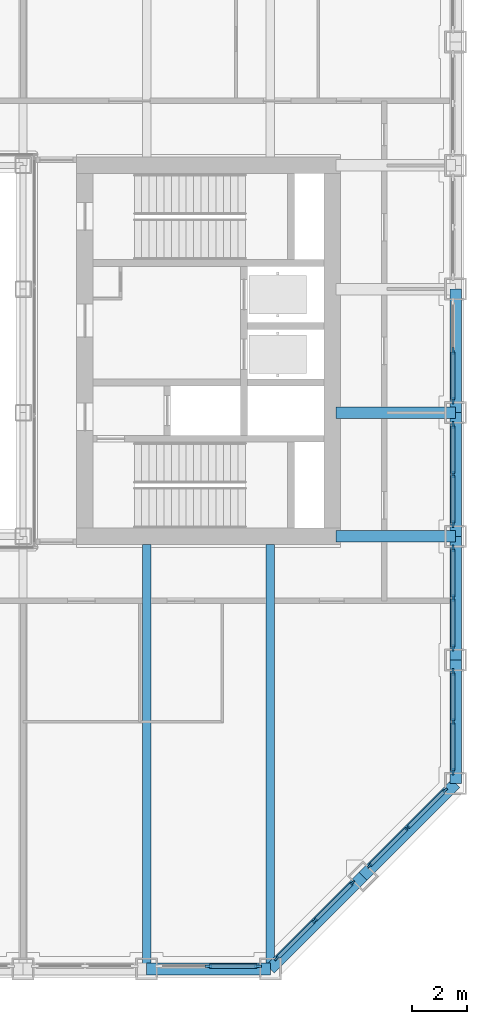
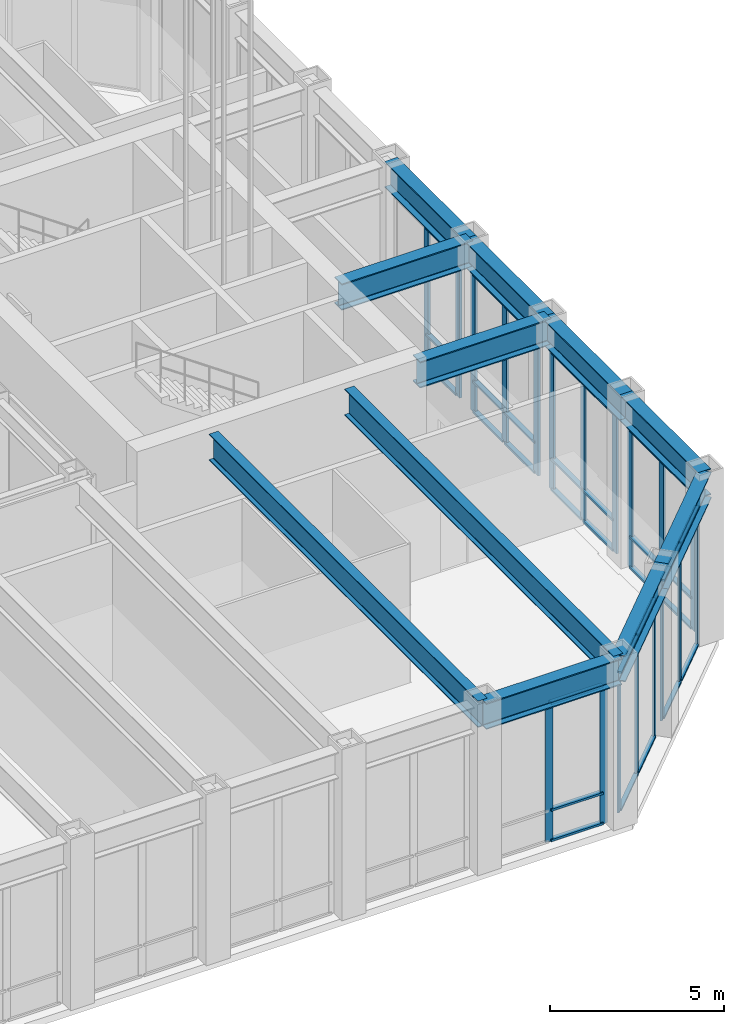
# One storey, part 6 of 22: 51 members, 11 beams, 7 elements without a shape of their own.
"""IFC4 building model written with IfcOpenShell, lengths in metres."""

from ifc_helpers import new_model, si_unit, direction, frame, origin, origin_2d, place, context, subcontext, project, spatial, rectangle, i_section, extrude, material, material_profile, profile_set, type_object, element, aggregate, save


model = new_model("IFC4")

# Units and contexts
model_context = context("Model", 3, precision=1e-05, world=origin(), true_north=direction((0.0, 1.0)))
body_context = subcontext(model_context, "Body", "Model", "MODEL_VIEW")
ifc_project = project(units=[si_unit("LENGTHUNIT", "METRE"), si_unit("AREAUNIT", "SQUARE_METRE"), si_unit("VOLUMEUNIT", "CUBIC_METRE"), si_unit("PLANEANGLEUNIT", "RADIAN"), si_unit("MASSUNIT", "GRAM", prefix="KILO")], contexts=[model_context])

# Site, building, storey
site_placement = place(None, origin())
site = spatial("IfcSite", under=ifc_project, at=site_placement, CompositionType="ELEMENT")
building_placement = place(site_placement, origin())
building = spatial("IfcBuilding", under=site, at=building_placement, Name="Msasa Ring Tower", CompositionType="ELEMENT")
storey_placement = place(building_placement, frame((0.0, 0.0, 112.39990234375)))
storey = spatial("IfcBuildingStorey", under=building, at=storey_placement, Name="L29", CompositionType="ELEMENT", Elevation=112.39990234375)

# Curtain wall, members
ifc_material_1 = material(Name="Aluminium curtain wall with clear glass", Category="aluminium")
curtain_wall_type_1 = type_object("IfcCurtainWallType", Name="CW-C CHAMFER CORNER CURTAIN WALL", PredefinedType="NOTDEFINED", material=ifc_material_1)
curtain_wall_1_placement = place(storey_placement, origin())
curtain_wall_1 = element("IfcCurtainWall", 1, at=curtain_wall_1_placement, inside=storey, type_object=curtain_wall_type_1, Name="Chamfer corner curtain wall SE L29", PredefinedType="NOTDEFINED")
ifc_material_2 = material(Name="Aluminium mullion", Category="aluminium")
ifc_material_profile_1 = material_profile(ifc_material_2, rectangle(XDim=0.06494140625, YDim=0.179931640625, at=origin_2d()), Name="AL 65x180")
ifc_profile_set_1 = profile_set([ifc_material_profile_1], Name="Aluminium mullion")
member_type_1 = type_object("IfcMemberType", Name="CW-C MULLION 65x180", PredefinedType="MULLION", material=ifc_profile_set_1)
member_1_placement = place(storey_placement, frame((15.98876953125, -22.119873046875, 0.0), z_axis=(0.0, 0.0, 1.0), x_axis=(-0.707106781187, 0.707106781187, 0.0)))
member_1 = element("IfcMember", 2, at=member_1_placement, type_object=member_type_1, Name="CW-C mullion 1", PredefinedType="MULLION", context=body_context, shape_type="SweptSolid", body=[
    extrude(rectangle(XDim=0.06494140625, YDim=0.179931640625, at=origin_2d()), origin(), (0.0, 0.0, 1.0), 4.879150390625),
])
member_2_placement = place(storey_placement, frame((17.36669921875, -20.74169921875, 0.0), z_axis=(0.0, 0.0, 1.0), x_axis=(-0.707106781187, 0.707106781187, 0.0)))
member_2 = element("IfcMember", 3, at=member_2_placement, type_object=member_type_1, Name="CW-C mullion 2", PredefinedType="MULLION", context=body_context, shape_type="SweptSolid", body=[
    extrude(rectangle(XDim=0.06494140625, YDim=0.179931640625, at=origin_2d()), origin(), (0.0, 0.0, 1.0), 4.879150390625),
])
member_3_placement = place(storey_placement, frame((18.744873046875, -19.36376953125, 0.0), z_axis=(0.0, 0.0, 1.0), x_axis=(-0.707106781187, 0.707106781187, 0.0)))
member_3 = element("IfcMember", 4, at=member_3_placement, type_object=member_type_1, Name="CW-C mullion 3", PredefinedType="MULLION", context=body_context, shape_type="SweptSolid", body=[
    extrude(rectangle(XDim=0.06494140625, YDim=0.179931640625, at=origin_2d()), origin(), (0.0, 0.0, 1.0), 4.879150390625),
])

curtain_wall_2_placement = place(storey_placement, origin())
curtain_wall_2 = element("IfcCurtainWall", 5, at=curtain_wall_2_placement, inside=storey, type_object=curtain_wall_type_1, Name="Chamfer corner curtain wall SE L29", PredefinedType="NOTDEFINED")
member_4_placement = place(storey_placement, frame((19.36376953125, -18.744873046875, 0.0), z_axis=(0.0, 0.0, 1.0), x_axis=(-0.707106781187, 0.707106781187, 0.0)))
member_4 = element("IfcMember", 6, at=member_4_placement, type_object=member_type_1, Name="CW-C mullion 1", PredefinedType="MULLION", context=body_context, shape_type="SweptSolid", body=[
    extrude(rectangle(XDim=0.06494140625, YDim=0.179931640625, at=origin_2d()), origin(), (0.0, 0.0, 1.0), 4.879150390625),
])
member_5_placement = place(storey_placement, frame((20.74169921875, -17.36669921875, 0.0), z_axis=(0.0, 0.0, 1.0), x_axis=(-0.707106781187, 0.707106781187, 0.0)))
member_5 = element("IfcMember", 7, at=member_5_placement, type_object=member_type_1, Name="CW-C mullion 2", PredefinedType="MULLION", context=body_context, shape_type="SweptSolid", body=[
    extrude(rectangle(XDim=0.06494140625, YDim=0.179931640625, at=origin_2d()), origin(), (0.0, 0.0, 1.0), 4.879150390625),
])
member_6_placement = place(storey_placement, frame((22.119873046875, -15.98876953125, 0.0), z_axis=(0.0, 0.0, 1.0), x_axis=(-0.707106781187, 0.707106781187, 0.0)))
member_6 = element("IfcMember", 8, at=member_6_placement, type_object=member_type_1, Name="CW-C mullion 3", PredefinedType="MULLION", context=body_context, shape_type="SweptSolid", body=[
    extrude(rectangle(XDim=0.06494140625, YDim=0.179931640625, at=origin_2d()), origin(), (0.0, 0.0, 1.0), 4.879150390625),
])

# Member
ifc_material_3 = material(Name="Aluminium transom", Category="aluminium")
ifc_material_profile_2 = material_profile(ifc_material_3, rectangle(XDim=0.139892578125, YDim=0.06494140625, at=origin_2d()), Name="AL 65x140")
ifc_profile_set_2 = profile_set([ifc_material_profile_2], Name="Aluminium transom")
member_type_2 = type_object("IfcMemberType", Name="CW-C TRANSOM 65x140", PredefinedType="USERDEFINED", material=ifc_profile_set_2)
member_7_placement = place(storey_placement, frame((16.01171875, -22.096923828125, 0.03271484375), z_axis=(0.707106781187, 0.707106781187, 0.0), x_axis=(-0.707106781187, 0.707106781187, 0.0)))
member_7 = element("IfcMember", 9, at=member_7_placement, type_object=member_type_2, Name="CW-C transom 1.1", ObjectType="TRANSOM", PredefinedType="USERDEFINED", context=body_context, shape_type="SweptSolid", body=[
    extrude(rectangle(XDim=0.139892578125, YDim=0.06494140625, at=origin_2d()), origin(), (0.0, 0.0, 1.0), 1.8837890625),
])

member_8_placement = place(storey_placement, frame((16.01171875, -22.096923828125, 4.8466796875), z_axis=(0.707106781187, 0.707106781187, 0.0), x_axis=(-0.707106781187, 0.707106781187, 0.0)))
member_8 = element("IfcMember", 10, at=member_8_placement, type_object=member_type_2, Name="CW-C transom 1.2", ObjectType="TRANSOM", PredefinedType="USERDEFINED", context=body_context, shape_type="SweptSolid", body=[
    extrude(rectangle(XDim=0.139892578125, YDim=0.06494140625, at=origin_2d()), origin(), (0.0, 0.0, 1.0), 1.8837890625),
])

member_9_placement = place(storey_placement, frame((17.389892578125, -20.71875, 0.03271484375), z_axis=(0.707106781187, 0.707106781187, 0.0), x_axis=(-0.707106781187, 0.707106781187, 0.0)))
member_9 = element("IfcMember", 11, at=member_9_placement, type_object=member_type_2, Name="CW-C transom 2.1", ObjectType="TRANSOM", PredefinedType="USERDEFINED", context=body_context, shape_type="SweptSolid", body=[
    extrude(rectangle(XDim=0.139892578125, YDim=0.06494140625, at=origin_2d()), origin(), (0.0, 0.0, 1.0), 1.8837890625),
])

member_10_placement = place(storey_placement, frame((17.389892578125, -20.71875, 4.8466796875), z_axis=(0.707106781187, 0.707106781187, 0.0), x_axis=(-0.707106781187, 0.707106781187, 0.0)))
member_10 = element("IfcMember", 12, at=member_10_placement, type_object=member_type_2, Name="CW-C transom 2.2", ObjectType="TRANSOM", PredefinedType="USERDEFINED", context=body_context, shape_type="SweptSolid", body=[
    extrude(rectangle(XDim=0.139892578125, YDim=0.06494140625, at=origin_2d()), origin(), (0.0, 0.0, 1.0), 1.8837890625),
])

aggregate(curtain_wall_1, [member_1, member_2, member_3, member_7, member_8, member_9, member_10])

member_11_placement = place(storey_placement, frame((19.38671875, -18.721923828125, 0.03271484375), z_axis=(0.707106781187, 0.707106781187, 0.0), x_axis=(-0.707106781187, 0.707106781187, 0.0)))
member_11 = element("IfcMember", 13, at=member_11_placement, type_object=member_type_2, Name="CW-C transom 1.1", ObjectType="TRANSOM", PredefinedType="USERDEFINED", context=body_context, shape_type="SweptSolid", body=[
    extrude(rectangle(XDim=0.139892578125, YDim=0.06494140625, at=origin_2d()), origin(), (0.0, 0.0, 1.0), 1.8837890625),
])

member_12_placement = place(storey_placement, frame((19.38671875, -18.721923828125, 4.8466796875), z_axis=(0.707106781187, 0.707106781187, 0.0), x_axis=(-0.707106781187, 0.707106781187, 0.0)))
member_12 = element("IfcMember", 14, at=member_12_placement, type_object=member_type_2, Name="CW-C transom 1.2", ObjectType="TRANSOM", PredefinedType="USERDEFINED", context=body_context, shape_type="SweptSolid", body=[
    extrude(rectangle(XDim=0.139892578125, YDim=0.06494140625, at=origin_2d()), origin(), (0.0, 0.0, 1.0), 1.8837890625),
])

member_13_placement = place(storey_placement, frame((20.764892578125, -17.34375, 0.03271484375), z_axis=(0.707106781187, 0.707106781187, 0.0), x_axis=(-0.707106781187, 0.707106781187, 0.0)))
member_13 = element("IfcMember", 15, at=member_13_placement, type_object=member_type_2, Name="CW-C transom 2.1", ObjectType="TRANSOM", PredefinedType="USERDEFINED", context=body_context, shape_type="SweptSolid", body=[
    extrude(rectangle(XDim=0.139892578125, YDim=0.06494140625, at=origin_2d()), origin(), (0.0, 0.0, 1.0), 1.8837890625),
])

member_14_placement = place(storey_placement, frame((20.764892578125, -17.34375, 4.8466796875), z_axis=(0.707106781187, 0.707106781187, 0.0), x_axis=(-0.707106781187, 0.707106781187, 0.0)))
member_14 = element("IfcMember", 16, at=member_14_placement, type_object=member_type_2, Name="CW-C transom 2.2", ObjectType="TRANSOM", PredefinedType="USERDEFINED", context=body_context, shape_type="SweptSolid", body=[
    extrude(rectangle(XDim=0.139892578125, YDim=0.06494140625, at=origin_2d()), origin(), (0.0, 0.0, 1.0), 1.8837890625),
])

aggregate(curtain_wall_2, [member_4, member_5, member_6, member_11, member_12, member_13, member_14])

# Curtain wall, members
ifc_material_4 = material(Name="Aluminium curtain wall with clear glass", Category="aluminium")
curtain_wall_type_2 = type_object("IfcCurtainWallType", Name="CW-S SKY LOBBY CURTAIN WALL", PredefinedType="NOTDEFINED", material=ifc_material_4)
curtain_wall_3_placement = place(storey_placement, origin())
curtain_wall_3 = element("IfcCurtainWall", 17, at=curtain_wall_3_placement, inside=storey, type_object=curtain_wall_type_2, Name="Sky lobby curtain wall S L29", PredefinedType="NOTDEFINED")
ifc_material_5 = material(Name="Aluminium mullion", Category="aluminium")
ifc_material_profile_3 = material_profile(ifc_material_5, rectangle(XDim=0.074951171875, YDim=0.25, at=origin_2d()), Name="AL 75x250")
ifc_profile_set_3 = profile_set([ifc_material_profile_3], Name="Aluminium mullion")
member_type_3 = type_object("IfcMemberType", Name="CW-S MULLION 75x250", PredefinedType="MULLION", material=ifc_profile_set_3)
member_15_placement = place(storey_placement, frame((13.5, -22.39990234375, 0.0), z_axis=(0.0, 0.0, 1.0), x_axis=(0.0, 1.0, 0.0)))
member_15 = element("IfcMember", 18, at=member_15_placement, type_object=member_type_3, Name="CW-S mullion 2", PredefinedType="MULLION", context=body_context, shape_type="SweptSolid", body=[
    extrude(rectangle(XDim=0.074951171875, YDim=0.25, at=origin_2d()), origin(), (0.0, 0.0, 1.0), 4.879150390625),
])
member_16_placement = place(storey_placement, frame((15.3076171875, -22.39990234375, 0.0), z_axis=(0.0, 0.0, 1.0), x_axis=(0.0, 1.0, 0.0)))
member_16 = element("IfcMember", 19, at=member_16_placement, type_object=member_type_3, Name="CW-S mullion 3", PredefinedType="MULLION", context=body_context, shape_type="SweptSolid", body=[
    extrude(rectangle(XDim=0.074951171875, YDim=0.25, at=origin_2d()), origin(), (0.0, 0.0, 1.0), 4.879150390625),
])

curtain_wall_4_placement = place(storey_placement, origin())
curtain_wall_4 = element("IfcCurtainWall", 20, at=curtain_wall_4_placement, inside=storey, type_object=curtain_wall_type_2, Name="Sky lobby curtain wall E L29", PredefinedType="NOTDEFINED")
member_17_placement = place(storey_placement, frame((22.39990234375, -15.3076171875, 0.0), z_axis=(0.0, 0.0, 1.0), x_axis=(-1.0, 0.0, 0.0)))
member_17 = element("IfcMember", 21, at=member_17_placement, type_object=member_type_3, Name="CW-S mullion 1", PredefinedType="MULLION", context=body_context, shape_type="SweptSolid", body=[
    extrude(rectangle(XDim=0.074951171875, YDim=0.25, at=origin_2d()), origin(), (0.0, 0.0, 1.0), 4.879150390625),
])
member_18_placement = place(storey_placement, frame((22.39990234375, -13.5, 0.0), z_axis=(0.0, 0.0, 1.0), x_axis=(-1.0, 0.0, 0.0)))
member_18 = element("IfcMember", 22, at=member_18_placement, type_object=member_type_3, Name="CW-S mullion 2", PredefinedType="MULLION", context=body_context, shape_type="SweptSolid", body=[
    extrude(rectangle(XDim=0.074951171875, YDim=0.25, at=origin_2d()), origin(), (0.0, 0.0, 1.0), 4.879150390625),
])
member_19_placement = place(storey_placement, frame((22.39990234375, -11.6923828125, 0.0), z_axis=(0.0, 0.0, 1.0), x_axis=(-1.0, 0.0, 0.0)))
member_19 = element("IfcMember", 23, at=member_19_placement, type_object=member_type_3, Name="CW-S mullion 3", PredefinedType="MULLION", context=body_context, shape_type="SweptSolid", body=[
    extrude(rectangle(XDim=0.074951171875, YDim=0.25, at=origin_2d()), origin(), (0.0, 0.0, 1.0), 4.879150390625),
])

curtain_wall_5_placement = place(storey_placement, origin())
curtain_wall_5 = element("IfcCurtainWall", 24, at=curtain_wall_5_placement, inside=storey, type_object=curtain_wall_type_2, Name="Sky lobby curtain wall E L29", PredefinedType="NOTDEFINED")
member_20_placement = place(storey_placement, frame((22.39990234375, -10.8076171875, 0.0), z_axis=(0.0, 0.0, 1.0), x_axis=(-1.0, 0.0, 0.0)))
member_20 = element("IfcMember", 25, at=member_20_placement, type_object=member_type_3, Name="CW-S mullion 1", PredefinedType="MULLION", context=body_context, shape_type="SweptSolid", body=[
    extrude(rectangle(XDim=0.074951171875, YDim=0.25, at=origin_2d()), origin(), (0.0, 0.0, 1.0), 4.879150390625),
])
member_21_placement = place(storey_placement, frame((22.39990234375, -9.0, 0.0), z_axis=(0.0, 0.0, 1.0), x_axis=(-1.0, 0.0, 0.0)))
member_21 = element("IfcMember", 26, at=member_21_placement, type_object=member_type_3, Name="CW-S mullion 2", PredefinedType="MULLION", context=body_context, shape_type="SweptSolid", body=[
    extrude(rectangle(XDim=0.074951171875, YDim=0.25, at=origin_2d()), origin(), (0.0, 0.0, 1.0), 4.879150390625),
])
member_22_placement = place(storey_placement, frame((22.39990234375, -7.1923828125, 0.0), z_axis=(0.0, 0.0, 1.0), x_axis=(-1.0, 0.0, 0.0)))
member_22 = element("IfcMember", 27, at=member_22_placement, type_object=member_type_3, Name="CW-S mullion 3", PredefinedType="MULLION", context=body_context, shape_type="SweptSolid", body=[
    extrude(rectangle(XDim=0.074951171875, YDim=0.25, at=origin_2d()), origin(), (0.0, 0.0, 1.0), 4.879150390625),
])

curtain_wall_6_placement = place(storey_placement, origin())
curtain_wall_6 = element("IfcCurtainWall", 28, at=curtain_wall_6_placement, inside=storey, type_object=curtain_wall_type_2, Name="Sky lobby curtain wall E L29", PredefinedType="NOTDEFINED")
member_23_placement = place(storey_placement, frame((22.39990234375, -6.3076171875, 0.0), z_axis=(0.0, 0.0, 1.0), x_axis=(-1.0, 0.0, 0.0)))
member_23 = element("IfcMember", 29, at=member_23_placement, type_object=member_type_3, Name="CW-S mullion 1", PredefinedType="MULLION", context=body_context, shape_type="SweptSolid", body=[
    extrude(rectangle(XDim=0.074951171875, YDim=0.25, at=origin_2d()), origin(), (0.0, 0.0, 1.0), 4.879150390625),
])
member_24_placement = place(storey_placement, frame((22.39990234375, -4.5, 0.0), z_axis=(0.0, 0.0, 1.0), x_axis=(-1.0, 0.0, 0.0)))
member_24 = element("IfcMember", 30, at=member_24_placement, type_object=member_type_3, Name="CW-S mullion 2", PredefinedType="MULLION", context=body_context, shape_type="SweptSolid", body=[
    extrude(rectangle(XDim=0.074951171875, YDim=0.25, at=origin_2d()), origin(), (0.0, 0.0, 1.0), 4.879150390625),
])
member_25_placement = place(storey_placement, frame((22.39990234375, -2.6923828125, 0.0), z_axis=(0.0, 0.0, 1.0), x_axis=(-1.0, 0.0, 0.0)))
member_25 = element("IfcMember", 31, at=member_25_placement, type_object=member_type_3, Name="CW-S mullion 3", PredefinedType="MULLION", context=body_context, shape_type="SweptSolid", body=[
    extrude(rectangle(XDim=0.074951171875, YDim=0.25, at=origin_2d()), origin(), (0.0, 0.0, 1.0), 4.879150390625),
])

curtain_wall_7_placement = place(storey_placement, origin())
curtain_wall_7 = element("IfcCurtainWall", 32, at=curtain_wall_7_placement, inside=storey, type_object=curtain_wall_type_2, Name="Sky lobby curtain wall E L29", PredefinedType="NOTDEFINED")
member_26_placement = place(storey_placement, frame((22.39990234375, -1.8076171875, 0.0), z_axis=(0.0, 0.0, 1.0), x_axis=(-1.0, 0.0, 0.0)))
member_26 = element("IfcMember", 33, at=member_26_placement, type_object=member_type_3, Name="CW-S mullion 1", PredefinedType="MULLION", context=body_context, shape_type="SweptSolid", body=[
    extrude(rectangle(XDim=0.074951171875, YDim=0.25, at=origin_2d()), origin(), (0.0, 0.0, 1.0), 4.879150390625),
])
member_27_placement = place(storey_placement, frame((22.39990234375, 0.0, 0.0), z_axis=(0.0, 0.0, 1.0), x_axis=(-1.0, 0.0, 0.0)))
member_27 = element("IfcMember", 34, at=member_27_placement, type_object=member_type_3, Name="CW-S mullion 2", PredefinedType="MULLION", context=body_context, shape_type="SweptSolid", body=[
    extrude(rectangle(XDim=0.074951171875, YDim=0.25, at=origin_2d()), origin(), (0.0, 0.0, 1.0), 4.879150390625),
])

# Member
ifc_material_6 = material(Name="Aluminium transom", Category="aluminium")
ifc_material_profile_4 = material_profile(ifc_material_6, rectangle(XDim=0.159912109375, YDim=0.074951171875, at=origin_2d()), Name="AL 75x160")
ifc_profile_set_4 = profile_set([ifc_material_profile_4], Name="Aluminium transom")
member_type_4 = type_object("IfcMemberType", Name="CW-S TRANSOM 75x160", PredefinedType="USERDEFINED", material=ifc_profile_set_4)
member_28_placement = place(storey_placement, frame((13.53759765625, -22.39990234375, 0.03759765625), z_axis=(1.0, 0.0, 0.0), x_axis=(0.0, 1.0, 0.0)))
member_28 = element("IfcMember", 35, at=member_28_placement, type_object=member_type_4, Name="CW-S transom 2.1", ObjectType="TRANSOM", PredefinedType="USERDEFINED", context=body_context, shape_type="SweptSolid", body=[
    extrude(rectangle(XDim=0.159912109375, YDim=0.074951171875, at=origin_2d()), origin(), (0.0, 0.0, 1.0), 1.732421875),
])

member_29_placement = place(storey_placement, frame((13.53759765625, -22.39990234375, 1.10009765625), z_axis=(1.0, 0.0, 0.0), x_axis=(0.0, 1.0, 0.0)))
member_29 = element("IfcMember", 36, at=member_29_placement, type_object=member_type_4, Name="CW-S transom 2.2", ObjectType="TRANSOM", PredefinedType="USERDEFINED", context=body_context, shape_type="SweptSolid", body=[
    extrude(rectangle(XDim=0.159912109375, YDim=0.074951171875, at=origin_2d()), origin(), (0.0, 0.0, 1.0), 1.732421875),
])

member_30_placement = place(storey_placement, frame((13.53759765625, -22.39990234375, 4.841552734375), z_axis=(1.0, 0.0, 0.0), x_axis=(0.0, 1.0, 0.0)))
member_30 = element("IfcMember", 37, at=member_30_placement, type_object=member_type_4, Name="CW-S transom 2.3", ObjectType="TRANSOM", PredefinedType="USERDEFINED", context=body_context, shape_type="SweptSolid", body=[
    extrude(rectangle(XDim=0.159912109375, YDim=0.074951171875, at=origin_2d()), origin(), (0.0, 0.0, 1.0), 1.732421875),
])

aggregate(curtain_wall_3, [member_15, member_16, member_28, member_29, member_30])

member_31_placement = place(storey_placement, frame((22.39990234375, -15.27001953125, 0.03759765625), z_axis=(0.0, 1.0, 0.0), x_axis=(-1.0, 0.0, 0.0)))
member_31 = element("IfcMember", 38, at=member_31_placement, type_object=member_type_4, Name="CW-S transom 1.1", ObjectType="TRANSOM", PredefinedType="USERDEFINED", context=body_context, shape_type="SweptSolid", body=[
    extrude(rectangle(XDim=0.159912109375, YDim=0.074951171875, at=origin_2d()), origin(), (0.0, 0.0, 1.0), 1.732421875),
])

member_32_placement = place(storey_placement, frame((22.39990234375, -15.27001953125, 1.10009765625), z_axis=(0.0, 1.0, 0.0), x_axis=(-1.0, 0.0, 0.0)))
member_32 = element("IfcMember", 39, at=member_32_placement, type_object=member_type_4, Name="CW-S transom 1.2", ObjectType="TRANSOM", PredefinedType="USERDEFINED", context=body_context, shape_type="SweptSolid", body=[
    extrude(rectangle(XDim=0.159912109375, YDim=0.074951171875, at=origin_2d()), origin(), (0.0, 0.0, 1.0), 1.732421875),
])

member_33_placement = place(storey_placement, frame((22.39990234375, -15.27001953125, 4.841552734375), z_axis=(0.0, 1.0, 0.0), x_axis=(-1.0, 0.0, 0.0)))
member_33 = element("IfcMember", 40, at=member_33_placement, type_object=member_type_4, Name="CW-S transom 1.3", ObjectType="TRANSOM", PredefinedType="USERDEFINED", context=body_context, shape_type="SweptSolid", body=[
    extrude(rectangle(XDim=0.159912109375, YDim=0.074951171875, at=origin_2d()), origin(), (0.0, 0.0, 1.0), 1.732421875),
])

member_34_placement = place(storey_placement, frame((22.39990234375, -13.46240234375, 0.03759765625), z_axis=(0.0, 1.0, 0.0), x_axis=(-1.0, 0.0, 0.0)))
member_34 = element("IfcMember", 41, at=member_34_placement, type_object=member_type_4, Name="CW-S transom 2.1", ObjectType="TRANSOM", PredefinedType="USERDEFINED", context=body_context, shape_type="SweptSolid", body=[
    extrude(rectangle(XDim=0.159912109375, YDim=0.074951171875, at=origin_2d()), origin(), (0.0, 0.0, 1.0), 1.732421875),
])

member_35_placement = place(storey_placement, frame((22.39990234375, -13.46240234375, 1.10009765625), z_axis=(0.0, 1.0, 0.0), x_axis=(-1.0, 0.0, 0.0)))
member_35 = element("IfcMember", 42, at=member_35_placement, type_object=member_type_4, Name="CW-S transom 2.2", ObjectType="TRANSOM", PredefinedType="USERDEFINED", context=body_context, shape_type="SweptSolid", body=[
    extrude(rectangle(XDim=0.159912109375, YDim=0.074951171875, at=origin_2d()), origin(), (0.0, 0.0, 1.0), 1.732421875),
])

member_36_placement = place(storey_placement, frame((22.39990234375, -13.46240234375, 4.841552734375), z_axis=(0.0, 1.0, 0.0), x_axis=(-1.0, 0.0, 0.0)))
member_36 = element("IfcMember", 43, at=member_36_placement, type_object=member_type_4, Name="CW-S transom 2.3", ObjectType="TRANSOM", PredefinedType="USERDEFINED", context=body_context, shape_type="SweptSolid", body=[
    extrude(rectangle(XDim=0.159912109375, YDim=0.074951171875, at=origin_2d()), origin(), (0.0, 0.0, 1.0), 1.732421875),
])

aggregate(curtain_wall_4, [member_17, member_18, member_19, member_31, member_32, member_33, member_34, member_35, member_36])

member_37_placement = place(storey_placement, frame((22.39990234375, -10.77001953125, 0.03759765625), z_axis=(0.0, 1.0, 0.0), x_axis=(-1.0, 0.0, 0.0)))
member_37 = element("IfcMember", 44, at=member_37_placement, type_object=member_type_4, Name="CW-S transom 1.1", ObjectType="TRANSOM", PredefinedType="USERDEFINED", context=body_context, shape_type="SweptSolid", body=[
    extrude(rectangle(XDim=0.159912109375, YDim=0.074951171875, at=origin_2d()), origin(), (0.0, 0.0, 1.0), 1.732421875),
])

member_38_placement = place(storey_placement, frame((22.39990234375, -10.77001953125, 1.10009765625), z_axis=(0.0, 1.0, 0.0), x_axis=(-1.0, 0.0, 0.0)))
member_38 = element("IfcMember", 45, at=member_38_placement, type_object=member_type_4, Name="CW-S transom 1.2", ObjectType="TRANSOM", PredefinedType="USERDEFINED", context=body_context, shape_type="SweptSolid", body=[
    extrude(rectangle(XDim=0.159912109375, YDim=0.074951171875, at=origin_2d()), origin(), (0.0, 0.0, 1.0), 1.732421875),
])

member_39_placement = place(storey_placement, frame((22.39990234375, -10.77001953125, 4.841552734375), z_axis=(0.0, 1.0, 0.0), x_axis=(-1.0, 0.0, 0.0)))
member_39 = element("IfcMember", 46, at=member_39_placement, type_object=member_type_4, Name="CW-S transom 1.3", ObjectType="TRANSOM", PredefinedType="USERDEFINED", context=body_context, shape_type="SweptSolid", body=[
    extrude(rectangle(XDim=0.159912109375, YDim=0.074951171875, at=origin_2d()), origin(), (0.0, 0.0, 1.0), 1.732421875),
])

member_40_placement = place(storey_placement, frame((22.39990234375, -8.96240234375, 0.03759765625), z_axis=(0.0, 1.0, 0.0), x_axis=(-1.0, 0.0, 0.0)))
member_40 = element("IfcMember", 47, at=member_40_placement, type_object=member_type_4, Name="CW-S transom 2.1", ObjectType="TRANSOM", PredefinedType="USERDEFINED", context=body_context, shape_type="SweptSolid", body=[
    extrude(rectangle(XDim=0.159912109375, YDim=0.074951171875, at=origin_2d()), origin(), (0.0, 0.0, 1.0), 1.732421875),
])

member_41_placement = place(storey_placement, frame((22.39990234375, -8.96240234375, 1.10009765625), z_axis=(0.0, 1.0, 0.0), x_axis=(-1.0, 0.0, 0.0)))
member_41 = element("IfcMember", 48, at=member_41_placement, type_object=member_type_4, Name="CW-S transom 2.2", ObjectType="TRANSOM", PredefinedType="USERDEFINED", context=body_context, shape_type="SweptSolid", body=[
    extrude(rectangle(XDim=0.159912109375, YDim=0.074951171875, at=origin_2d()), origin(), (0.0, 0.0, 1.0), 1.732421875),
])

member_42_placement = place(storey_placement, frame((22.39990234375, -8.96240234375, 4.841552734375), z_axis=(0.0, 1.0, 0.0), x_axis=(-1.0, 0.0, 0.0)))
member_42 = element("IfcMember", 49, at=member_42_placement, type_object=member_type_4, Name="CW-S transom 2.3", ObjectType="TRANSOM", PredefinedType="USERDEFINED", context=body_context, shape_type="SweptSolid", body=[
    extrude(rectangle(XDim=0.159912109375, YDim=0.074951171875, at=origin_2d()), origin(), (0.0, 0.0, 1.0), 1.732421875),
])

aggregate(curtain_wall_5, [member_20, member_21, member_22, member_37, member_38, member_39, member_40, member_41, member_42])

member_43_placement = place(storey_placement, frame((22.39990234375, -6.27001953125, 0.03759765625), z_axis=(0.0, 1.0, 0.0), x_axis=(-1.0, 0.0, 0.0)))
member_43 = element("IfcMember", 50, at=member_43_placement, type_object=member_type_4, Name="CW-S transom 1.1", ObjectType="TRANSOM", PredefinedType="USERDEFINED", context=body_context, shape_type="SweptSolid", body=[
    extrude(rectangle(XDim=0.159912109375, YDim=0.074951171875, at=origin_2d()), origin(), (0.0, 0.0, 1.0), 1.732421875),
])

member_44_placement = place(storey_placement, frame((22.39990234375, -6.27001953125, 1.10009765625), z_axis=(0.0, 1.0, 0.0), x_axis=(-1.0, 0.0, 0.0)))
member_44 = element("IfcMember", 51, at=member_44_placement, type_object=member_type_4, Name="CW-S transom 1.2", ObjectType="TRANSOM", PredefinedType="USERDEFINED", context=body_context, shape_type="SweptSolid", body=[
    extrude(rectangle(XDim=0.159912109375, YDim=0.074951171875, at=origin_2d()), origin(), (0.0, 0.0, 1.0), 1.732421875),
])

member_45_placement = place(storey_placement, frame((22.39990234375, -6.27001953125, 4.841552734375), z_axis=(0.0, 1.0, 0.0), x_axis=(-1.0, 0.0, 0.0)))
member_45 = element("IfcMember", 52, at=member_45_placement, type_object=member_type_4, Name="CW-S transom 1.3", ObjectType="TRANSOM", PredefinedType="USERDEFINED", context=body_context, shape_type="SweptSolid", body=[
    extrude(rectangle(XDim=0.159912109375, YDim=0.074951171875, at=origin_2d()), origin(), (0.0, 0.0, 1.0), 1.732421875),
])

member_46_placement = place(storey_placement, frame((22.39990234375, -4.46240234375, 0.03759765625), z_axis=(0.0, 1.0, 0.0), x_axis=(-1.0, 0.0, 0.0)))
member_46 = element("IfcMember", 53, at=member_46_placement, type_object=member_type_4, Name="CW-S transom 2.1", ObjectType="TRANSOM", PredefinedType="USERDEFINED", context=body_context, shape_type="SweptSolid", body=[
    extrude(rectangle(XDim=0.159912109375, YDim=0.074951171875, at=origin_2d()), origin(), (0.0, 0.0, 1.0), 1.732421875),
])

member_47_placement = place(storey_placement, frame((22.39990234375, -4.46240234375, 1.10009765625), z_axis=(0.0, 1.0, 0.0), x_axis=(-1.0, 0.0, 0.0)))
member_47 = element("IfcMember", 54, at=member_47_placement, type_object=member_type_4, Name="CW-S transom 2.2", ObjectType="TRANSOM", PredefinedType="USERDEFINED", context=body_context, shape_type="SweptSolid", body=[
    extrude(rectangle(XDim=0.159912109375, YDim=0.074951171875, at=origin_2d()), origin(), (0.0, 0.0, 1.0), 1.732421875),
])

member_48_placement = place(storey_placement, frame((22.39990234375, -4.46240234375, 4.841552734375), z_axis=(0.0, 1.0, 0.0), x_axis=(-1.0, 0.0, 0.0)))
member_48 = element("IfcMember", 55, at=member_48_placement, type_object=member_type_4, Name="CW-S transom 2.3", ObjectType="TRANSOM", PredefinedType="USERDEFINED", context=body_context, shape_type="SweptSolid", body=[
    extrude(rectangle(XDim=0.159912109375, YDim=0.074951171875, at=origin_2d()), origin(), (0.0, 0.0, 1.0), 1.732421875),
])

aggregate(curtain_wall_6, [member_23, member_24, member_25, member_43, member_44, member_45, member_46, member_47, member_48])

member_49_placement = place(storey_placement, frame((22.39990234375, -1.77001953125, 0.03759765625), z_axis=(0.0, 1.0, 0.0), x_axis=(-1.0, 0.0, 0.0)))
member_49 = element("IfcMember", 56, at=member_49_placement, type_object=member_type_4, Name="CW-S transom 1.1", ObjectType="TRANSOM", PredefinedType="USERDEFINED", context=body_context, shape_type="SweptSolid", body=[
    extrude(rectangle(XDim=0.159912109375, YDim=0.074951171875, at=origin_2d()), origin(), (0.0, 0.0, 1.0), 1.732421875),
])

member_50_placement = place(storey_placement, frame((22.39990234375, -1.77001953125, 1.10009765625), z_axis=(0.0, 1.0, 0.0), x_axis=(-1.0, 0.0, 0.0)))
member_50 = element("IfcMember", 57, at=member_50_placement, type_object=member_type_4, Name="CW-S transom 1.2", ObjectType="TRANSOM", PredefinedType="USERDEFINED", context=body_context, shape_type="SweptSolid", body=[
    extrude(rectangle(XDim=0.159912109375, YDim=0.074951171875, at=origin_2d()), origin(), (0.0, 0.0, 1.0), 1.732421875),
])

member_51_placement = place(storey_placement, frame((22.39990234375, -1.77001953125, 4.841552734375), z_axis=(0.0, 1.0, 0.0), x_axis=(-1.0, 0.0, 0.0)))
member_51 = element("IfcMember", 58, at=member_51_placement, type_object=member_type_4, Name="CW-S transom 1.3", ObjectType="TRANSOM", PredefinedType="USERDEFINED", context=body_context, shape_type="SweptSolid", body=[
    extrude(rectangle(XDim=0.159912109375, YDim=0.074951171875, at=origin_2d()), origin(), (0.0, 0.0, 1.0), 1.732421875),
])

aggregate(curtain_wall_7, [member_26, member_27, member_49, member_50, member_51])

# Beams
ifc_material_7 = material(Name="Steel S355", Category="steel")
ifc_material_profile_5 = material_profile(ifc_material_7, i_section(OverallWidth=0.42041015625, OverallDepth=0.9208984375, WebThickness=0.021484375, FlangeThickness=0.03662109375, FilletRadius=0.024169921875, at=origin_2d()), Name="UB 914x419x388")
ifc_profile_set_5 = profile_set([ifc_material_profile_5], Name="Steel S355")
beam_type_1 = type_object("IfcBeamType", Name="FB2 UB 914x419x388", PredefinedType="BEAM", material=ifc_profile_set_5)
beam_1_placement = place(storey_placement, frame((22.5, -2.25, 5.339599609375), z_axis=(-1.0, 0.0, 0.0), x_axis=(0.0, -1.0, 0.0)))
element("IfcBeam", 59, at=beam_1_placement, inside=storey, type_object=beam_type_1, Name="Floor beam E -2.25 under L30", PredefinedType="BEAM", context=body_context, shape_type="SweptSolid", body=[
    extrude(i_section(OverallWidth=0.42041015625, OverallDepth=0.9208984375, WebThickness=0.021484375, FlangeThickness=0.03662109375, FilletRadius=0.024169921875, at=origin_2d()), origin(), (0.0, 0.0, 1.0), 4.35009765625),
])
ifc_material_8 = material(Name="Steel S355", Category="steel")
ifc_material_profile_6 = material_profile(ifc_material_8, i_section(OverallWidth=0.3076171875, OverallDepth=0.926513671875, WebThickness=0.01953125, FlangeThickness=0.031982421875, FilletRadius=0.01904296875, at=origin_2d()), Name="UB 914x305x289")
ifc_profile_set_6 = profile_set([ifc_material_profile_6], Name="Steel S355")
beam_type_2 = type_object("IfcBeamType", Name="FB3 UB 914x305x289", PredefinedType="BEAM", material=ifc_profile_set_6)
for number, where, z_axis, x_axis, name in (
    (60, (11.25, -22.5, 5.3369140625), (0.0, 1.0, 0.0), (-1.0, 0.0, 0.0), "Floor beam S+11.25 under L30"),
    (61, (15.75, -22.5, 5.3369140625), (0.0, 1.0, 0.0), (-1.0, 0.0, 0.0), "Floor beam S+15.75 under L30"),
):
    element("IfcBeam", number, at=place(storey_placement, frame(where, z_axis=z_axis, x_axis=x_axis)), inside=storey, type_object=beam_type_2, Name=name, PredefinedType="BEAM", context=body_context, shape_type="SweptSolid", body=[
        extrude(i_section(OverallWidth=0.3076171875, OverallDepth=0.926513671875, WebThickness=0.01953125, FlangeThickness=0.031982421875, FilletRadius=0.01904296875, at=origin_2d()), origin(), (0.0, 0.0, 1.0), 15.449951171875),
    ])
ifc_material_9 = material(Name="Steel S355", Category="steel")
ifc_material_profile_7 = material_profile(ifc_material_9, i_section(OverallWidth=0.42041015625, OverallDepth=0.9208984375, WebThickness=0.021484375, FlangeThickness=0.03662109375, FilletRadius=0.024169921875, at=origin_2d()), Name="UB 914x419x388")
ifc_profile_set_7 = profile_set([ifc_material_profile_7], Name="Steel S355")
beam_type_3 = type_object("IfcBeamType", Name="GB1 UB 914x419x388", PredefinedType="BEAM", material=ifc_profile_set_7)
beam_2_placement = place(storey_placement, frame((18.14990234375, -6.75, 5.339599609375), z_axis=(1.0, 0.0, 0.0), x_axis=(0.0, 1.0, 0.0)))
element("IfcBeam", 62, at=beam_2_placement, inside=storey, type_object=beam_type_3, Name="Girder E -6.75 under L30", PredefinedType="BEAM", context=body_context, shape_type="SweptSolid", body=[
    extrude(i_section(OverallWidth=0.42041015625, OverallDepth=0.9208984375, WebThickness=0.021484375, FlangeThickness=0.03662109375, FilletRadius=0.024169921875, at=origin_2d()), origin(), (0.0, 0.0, 1.0), 4.35009765625),
])
ifc_material_10 = material(Name="Steel S355", Category="steel")
ifc_material_profile_8 = material_profile(ifc_material_10, i_section(OverallWidth=0.42041015625, OverallDepth=0.9208984375, WebThickness=0.021484375, FlangeThickness=0.03662109375, FilletRadius=0.024169921875, at=origin_2d()), Name="UB 914x419x388")
ifc_profile_set_8 = profile_set([ifc_material_profile_8], Name="Steel S355")
beam_type_4 = type_object("IfcBeamType", Name="SB1 UB 914x419x388", PredefinedType="SPANDREL", material=ifc_profile_set_8)
beam_3_placement = place(storey_placement, frame((11.25, -22.5, 5.339599609375), z_axis=(1.0, 0.0, 0.0), x_axis=(0.0, 1.0, 0.0)))
element("IfcBeam", 63, at=beam_3_placement, inside=storey, type_object=beam_type_4, Name="Spandrel S+11.25 to S+15.75 under L30", PredefinedType="SPANDREL", context=body_context, shape_type="SweptSolid", body=[
    extrude(i_section(OverallWidth=0.42041015625, OverallDepth=0.9208984375, WebThickness=0.021484375, FlangeThickness=0.03662109375, FilletRadius=0.024169921875, at=origin_2d()), origin(), (0.0, 0.0, 1.0), 4.5),
])
for number, where, z_axis, x_axis, name in (
    (64, (15.75, -22.5, 5.339599609375), (0.707106781187, 0.707106781187, 0.0), (-0.707106781187, 0.707106781187, 0.0), "Spandrel S+15.75 to SE under L30"),
    (65, (19.125, -19.125, 5.339599609375), (0.707106781187, 0.707106781187, 0.0), (-0.707106781187, 0.707106781187, 0.0), "Spandrel SE to E-15.75 under L30"),
):
    element("IfcBeam", number, at=place(storey_placement, frame(where, z_axis=z_axis, x_axis=x_axis)), inside=storey, type_object=beam_type_4, Name=name, PredefinedType="SPANDREL", context=body_context, shape_type="SweptSolid", body=[
        extrude(i_section(OverallWidth=0.42041015625, OverallDepth=0.9208984375, WebThickness=0.021484375, FlangeThickness=0.03662109375, FilletRadius=0.024169921875, at=origin_2d()), origin(), (0.0, 0.0, 1.0), 4.77294921875),
    ])
for number, where, z_axis, x_axis, name in (
    (66, (22.5, -15.75, 5.339599609375), (0.0, 1.0, 0.0), (-1.0, 0.0, 0.0), "Spandrel E-15.75 to E-11.25 under L30"),
    (67, (22.5, -11.25, 5.339599609375), (0.0, 1.0, 0.0), (-1.0, 0.0, 0.0), "Spandrel E-11.25 to E-6.75 under L30"),
    (68, (22.5, -6.75, 5.339599609375), (0.0, 1.0, 0.0), (-1.0, 0.0, 0.0), "Spandrel E-6.75 to E-2.25 under L30"),
    (69, (22.5, -2.25, 5.339599609375), (0.0, 1.0, 0.0), (-1.0, 0.0, 0.0), "Spandrel E-2.25 to E+2.25 under L30"),
):
    element("IfcBeam", number, at=place(storey_placement, frame(where, z_axis=z_axis, x_axis=x_axis)), inside=storey, type_object=beam_type_4, Name=name, PredefinedType="SPANDREL", context=body_context, shape_type="SweptSolid", body=[
        extrude(i_section(OverallWidth=0.42041015625, OverallDepth=0.9208984375, WebThickness=0.021484375, FlangeThickness=0.03662109375, FilletRadius=0.024169921875, at=origin_2d()), origin(), (0.0, 0.0, 1.0), 4.5),
    ])

save(model, "model.ifc")
